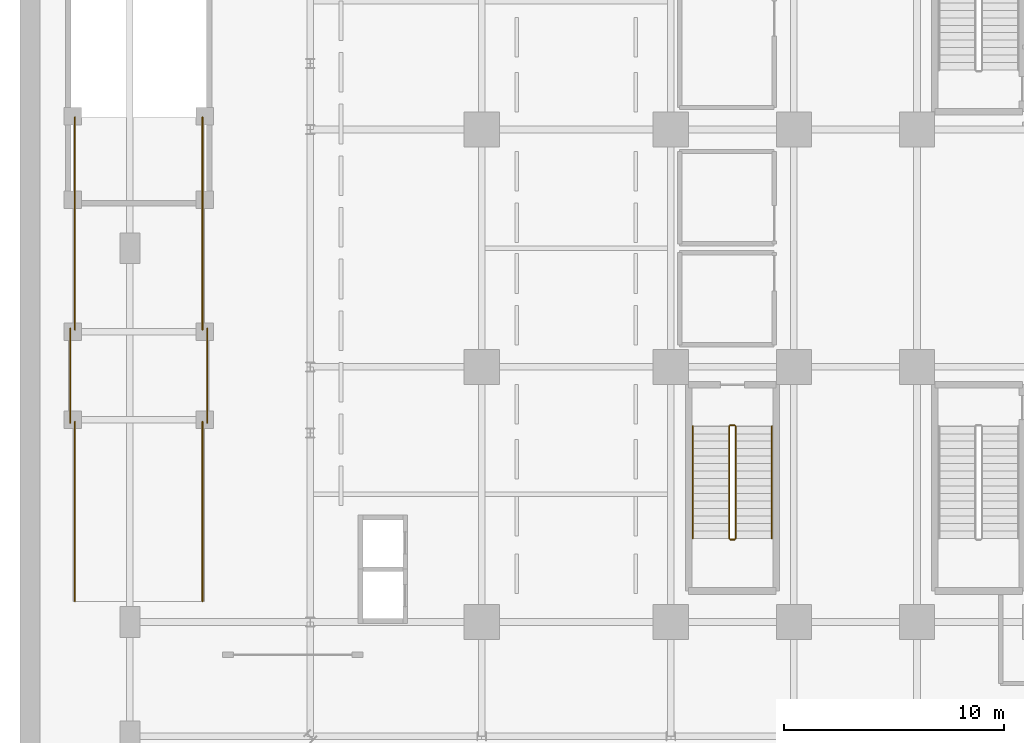
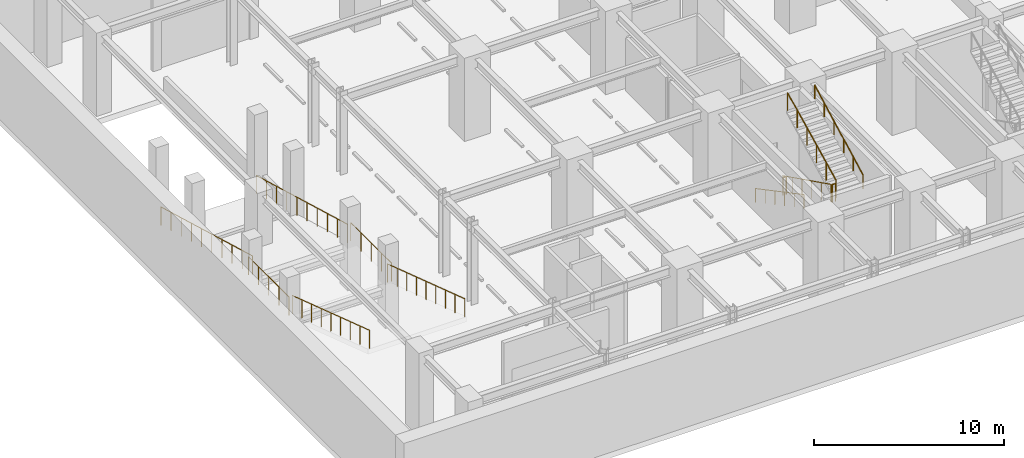
# One storey, part 9 of 10: 12 railings.
"""IFC4 building model written with IfcOpenShell, lengths in metres."""

from ifc_helpers import new_model, si_unit, direction, frame, origin, origin_2d, place, context, subcontext, project, spatial, circle, extrude, material, type_object, element, save


model = new_model("IFC4")

# Units and contexts
model_context = context("Model", 3, precision=1e-05, world=origin(), true_north=direction((0.0, 1.0)))
body_context = subcontext(model_context, "Body", "Model", "MODEL_VIEW")
ifc_project = project(units=[si_unit("LENGTHUNIT", "METRE"), si_unit("AREAUNIT", "SQUARE_METRE"), si_unit("VOLUMEUNIT", "CUBIC_METRE"), si_unit("PLANEANGLEUNIT", "RADIAN"), si_unit("MASSUNIT", "GRAM", prefix="KILO")], contexts=[model_context])

# Site, building, storey
site_placement = place(None, origin())
site = spatial("IfcSite", under=ifc_project, at=site_placement, CompositionType="ELEMENT")
building_placement = place(site_placement, origin())
building = spatial("IfcBuilding", under=site, at=building_placement, Name="Nahalor Promenade Grand Hotel", CompositionType="ELEMENT")
storey_placement = place(building_placement, frame((0.0, 0.0, -5.39990234375)))
storey = spatial("IfcBuildingStorey", under=building, at=storey_placement, Name="B01", CompositionType="ELEMENT", Elevation=-5.39990234375)

# Railings
ifc_material = material(Name="Steel S355JR", Category="steel")
railing_type_1 = type_object("IfcRailingType", Name="Steel Ramp Guardrail 1200 mm", PredefinedType="GUARDRAIL", material=ifc_material)
railing_1_placement = place(storey_placement, frame((-35.5, 5.949951171875, 0.0)))
element("IfcRailing", 1, at=railing_1_placement, inside=storey, type_object=railing_type_1, Name="RL-RAMP-B01-1W", PredefinedType="GUARDRAIL", context=body_context, shape_type="SweptSolid", body=[
    extrude(circle(Radius=0.024048, at=origin_2d()), frame((0.0, 0.0, 1.17578125), z_axis=(0.0, -0.963016380796, 0.269442851673), x_axis=(1.0, 0.0, 0.0)), (0.0, 0.0, 1.0), 10.0205078125),
    extrude(circle(Radius=0.020996, at=origin_2d()), origin(), (0.0, 0.0, 1.0), 1.14990234375),
    extrude(circle(Radius=0.020996, at=origin_2d()), frame((0.0, -1.072265625, 0.300048828125)), (0.0, 0.0, 1.0), 1.14990234375),
    extrude(circle(Radius=0.020996, at=origin_2d()), frame((0.0, -2.14453125, 0.60009765625)), (0.0, 0.0, 1.0), 1.14990234375),
    extrude(circle(Radius=0.020996, at=origin_2d()), frame((0.0, -3.216552734375, 0.89990234375)), (0.0, 0.0, 1.0), 1.14990234375),
    extrude(circle(Radius=0.020996, at=origin_2d()), frame((0.0, -4.288818359375, 1.199951171875)), (0.0, 0.0, 1.0), 1.14990234375),
    extrude(circle(Radius=0.020996, at=origin_2d()), frame((0.0, -5.361083984375, 1.5)), (0.0, 0.0, 1.0), 1.14990234375),
    extrude(circle(Radius=0.020996, at=origin_2d()), frame((0.0, -6.433349609375, 1.800048828125)), (0.0, 0.0, 1.0), 1.14990234375),
    extrude(circle(Radius=0.020996, at=origin_2d()), frame((0.0, -7.50537109375, 2.099853515625)), (0.0, 0.0, 1.0), 1.14990234375),
    extrude(circle(Radius=0.020996, at=origin_2d()), frame((0.0, -8.57763671875, 2.39990234375)), (0.0, 0.0, 1.0), 1.14990234375),
    extrude(circle(Radius=0.020996, at=origin_2d()), frame((0.0, -9.64990234375, 2.699951171875)), (0.0, 0.0, 1.0), 1.14990234375),
])
railing_2_placement = place(storey_placement, frame((-35.5, -7.89990234375, 2.699951171875)))
element("IfcRailing", 2, at=railing_2_placement, inside=storey, type_object=railing_type_1, Name="RL-RAMP-B01-2W", PredefinedType="GUARDRAIL", context=body_context, shape_type="SweptSolid", body=[
    extrude(circle(Radius=0.024048, at=origin_2d()), frame((0.0, 0.0, 1.17578125), z_axis=(0.0, -0.949267444909, 0.314469900047), x_axis=(1.0, 0.0, 0.0)), (0.0, 0.0, 1.0), 8.585693359375),
    extrude(circle(Radius=0.020996, at=origin_2d()), origin(), (0.0, 0.0, 1.0), 1.14990234375),
    extrude(circle(Radius=0.020996, at=origin_2d()), frame((0.0, -1.018798828125, 0.33740234375)), (0.0, 0.0, 1.0), 1.14990234375),
    extrude(circle(Radius=0.020996, at=origin_2d()), frame((0.0, -2.03759765625, 0.675048828125)), (0.0, 0.0, 1.0), 1.14990234375),
    extrude(circle(Radius=0.020996, at=origin_2d()), frame((0.0, -3.056396484375, 1.012451171875)), (0.0, 0.0, 1.0), 1.14990234375),
    extrude(circle(Radius=0.020996, at=origin_2d()), frame((0.0, -4.0751953125, 1.35009765625)), (0.0, 0.0, 1.0), 1.14990234375),
    extrude(circle(Radius=0.020996, at=origin_2d()), frame((0.0, -5.09375, 1.6875)), (0.0, 0.0, 1.0), 1.14990234375),
    extrude(circle(Radius=0.020996, at=origin_2d()), frame((0.0, -6.112548828125, 2.02490234375)), (0.0, 0.0, 1.0), 1.14990234375),
    extrude(circle(Radius=0.020996, at=origin_2d()), frame((0.0, -7.13134765625, 2.362548828125)), (0.0, 0.0, 1.0), 1.14990234375),
    extrude(circle(Radius=0.020996, at=origin_2d()), frame((0.0, -8.150146484375, 2.699951171875)), (0.0, 0.0, 1.0), 1.14990234375),
])
railing_3_placement = place(storey_placement, frame((-29.699951171875, 5.949951171875, 0.0)))
element("IfcRailing", 3, at=railing_3_placement, inside=storey, type_object=railing_type_1, Name="RL-RAMP-B01-1E", PredefinedType="GUARDRAIL", context=body_context, shape_type="SweptSolid", body=[
    extrude(circle(Radius=0.024048, at=origin_2d()), frame((0.0, 0.0, 1.17578125), z_axis=(0.0, -0.963016380796, 0.269442851673), x_axis=(1.0, 0.0, 0.0)), (0.0, 0.0, 1.0), 10.0205078125),
    extrude(circle(Radius=0.020996, at=origin_2d()), origin(), (0.0, 0.0, 1.0), 1.14990234375),
    extrude(circle(Radius=0.020996, at=origin_2d()), frame((0.0, -1.072265625, 0.300048828125)), (0.0, 0.0, 1.0), 1.14990234375),
    extrude(circle(Radius=0.020996, at=origin_2d()), frame((0.0, -2.14453125, 0.60009765625)), (0.0, 0.0, 1.0), 1.14990234375),
    extrude(circle(Radius=0.020996, at=origin_2d()), frame((0.0, -3.216552734375, 0.89990234375)), (0.0, 0.0, 1.0), 1.14990234375),
    extrude(circle(Radius=0.020996, at=origin_2d()), frame((0.0, -4.288818359375, 1.199951171875)), (0.0, 0.0, 1.0), 1.14990234375),
    extrude(circle(Radius=0.020996, at=origin_2d()), frame((0.0, -5.361083984375, 1.5)), (0.0, 0.0, 1.0), 1.14990234375),
    extrude(circle(Radius=0.020996, at=origin_2d()), frame((0.0, -6.433349609375, 1.800048828125)), (0.0, 0.0, 1.0), 1.14990234375),
    extrude(circle(Radius=0.020996, at=origin_2d()), frame((0.0, -7.50537109375, 2.099853515625)), (0.0, 0.0, 1.0), 1.14990234375),
    extrude(circle(Radius=0.020996, at=origin_2d()), frame((0.0, -8.57763671875, 2.39990234375)), (0.0, 0.0, 1.0), 1.14990234375),
    extrude(circle(Radius=0.020996, at=origin_2d()), frame((0.0, -9.64990234375, 2.699951171875)), (0.0, 0.0, 1.0), 1.14990234375),
])
railing_4_placement = place(storey_placement, frame((-29.699951171875, -7.89990234375, 2.699951171875)))
element("IfcRailing", 4, at=railing_4_placement, inside=storey, type_object=railing_type_1, Name="RL-RAMP-B01-2E", PredefinedType="GUARDRAIL", context=body_context, shape_type="SweptSolid", body=[
    extrude(circle(Radius=0.024048, at=origin_2d()), frame((0.0, 0.0, 1.17578125), z_axis=(0.0, -0.949267444909, 0.314469900047), x_axis=(1.0, 0.0, 0.0)), (0.0, 0.0, 1.0), 8.585693359375),
    extrude(circle(Radius=0.020996, at=origin_2d()), origin(), (0.0, 0.0, 1.0), 1.14990234375),
    extrude(circle(Radius=0.020996, at=origin_2d()), frame((0.0, -1.018798828125, 0.33740234375)), (0.0, 0.0, 1.0), 1.14990234375),
    extrude(circle(Radius=0.020996, at=origin_2d()), frame((0.0, -2.03759765625, 0.675048828125)), (0.0, 0.0, 1.0), 1.14990234375),
    extrude(circle(Radius=0.020996, at=origin_2d()), frame((0.0, -3.056396484375, 1.012451171875)), (0.0, 0.0, 1.0), 1.14990234375),
    extrude(circle(Radius=0.020996, at=origin_2d()), frame((0.0, -4.0751953125, 1.35009765625)), (0.0, 0.0, 1.0), 1.14990234375),
    extrude(circle(Radius=0.020996, at=origin_2d()), frame((0.0, -5.09375, 1.6875)), (0.0, 0.0, 1.0), 1.14990234375),
    extrude(circle(Radius=0.020996, at=origin_2d()), frame((0.0, -6.112548828125, 2.02490234375)), (0.0, 0.0, 1.0), 1.14990234375),
    extrude(circle(Radius=0.020996, at=origin_2d()), frame((0.0, -7.13134765625, 2.362548828125)), (0.0, 0.0, 1.0), 1.14990234375),
    extrude(circle(Radius=0.020996, at=origin_2d()), frame((0.0, -8.150146484375, 2.699951171875)), (0.0, 0.0, 1.0), 1.14990234375),
])
for number, where, name in (
    (5, (-35.719970703125, -7.949951171875, 2.699951171875), "RL-RAMP-B01-MW"),
    (6, (-29.47998046875, -7.949951171875, 2.699951171875), "RL-RAMP-B01-ME"),
):
    element("IfcRailing", number, at=place(storey_placement, frame(where)), inside=storey, type_object=railing_type_1, Name=name, PredefinedType="GUARDRAIL", context=body_context, shape_type="SweptSolid", body=[
        extrude(circle(Radius=0.024048, at=origin_2d()), frame((0.0, 0.0, 1.17578125), z_axis=(0.0, 1.0, 0.0), x_axis=(-1.0, 0.0, 0.0)), (0.0, 0.0, 1.0), 4.300048828125),
        extrude(circle(Radius=0.020996, at=origin_2d()), origin(), (0.0, 0.0, 1.0), 1.14990234375),
        extrude(circle(Radius=0.020996, at=origin_2d()), frame((0.0, 1.074951171875, 0.0)), (0.0, 0.0, 1.0), 1.14990234375),
        extrude(circle(Radius=0.020996, at=origin_2d()), frame((0.0, 2.14990234375, 0.0)), (0.0, 0.0, 1.0), 1.14990234375),
        extrude(circle(Radius=0.020996, at=origin_2d()), frame((0.0, 3.22509765625, 0.0)), (0.0, 0.0, 1.0), 1.14990234375),
        extrude(circle(Radius=0.020996, at=origin_2d()), frame((0.0, 4.300048828125, 0.0)), (0.0, 0.0, 1.0), 1.14990234375),
    ])
railing_type_2 = type_object("IfcRailingType", Name="Steel Stair Guardrail 1150 mm", PredefinedType="GUARDRAIL", material=ifc_material)
railing_5_placement = place(storey_placement, frame((-5.75, -8.10009765625, 0.168701171875)))
element("IfcRailing", 7, at=railing_5_placement, inside=storey, type_object=railing_type_2, Name="B01 ST3 stair guard 1", PredefinedType="GUARDRAIL", context=body_context, shape_type="SweptSolid", body=[
    extrude(circle(Radius=0.024048, at=origin_2d()), frame((0.0, 0.0, 1.1259765625), z_axis=(0.0, -0.895735491292, 0.444587370086), x_axis=(1.0, 0.0, 0.0)), (0.0, 0.0, 1.0), 5.693603515625),
    extrude(circle(Radius=0.020996, at=origin_2d()), origin(), (0.0, 0.0, 1.0), 1.099853515625),
    extrude(circle(Radius=0.020996, at=origin_2d()), frame((0.0, -1.02001953125, 0.50634765625)), (0.0, 0.0, 1.0), 1.099853515625),
    extrude(circle(Radius=0.020996, at=origin_2d()), frame((0.0, -2.0400390625, 1.012451171875)), (0.0, 0.0, 1.0), 1.099853515625),
    extrude(circle(Radius=0.020996, at=origin_2d()), frame((0.0, -3.059814453125, 1.518798828125)), (0.0, 0.0, 1.0), 1.099853515625),
    extrude(circle(Radius=0.020996, at=origin_2d()), frame((0.0, -4.079833984375, 2.02490234375)), (0.0, 0.0, 1.0), 1.099853515625),
    extrude(circle(Radius=0.020996, at=origin_2d()), frame((0.0, -5.099853515625, 2.53125)), (0.0, 0.0, 1.0), 1.099853515625),
])
railing_6_placement = place(storey_placement, frame((-5.699951171875, -13.25, 2.699951171875)))
element("IfcRailing", 8, at=railing_6_placement, inside=storey, type_object=railing_type_2, Name="B01 ST3 stair guard 2", PredefinedType="GUARDRAIL", context=body_context, shape_type="SweptSolid", body=[
    extrude(circle(Radius=0.024048, at=origin_2d()), frame((0.0, 0.0, 1.1259765625), z_axis=(1.0, 0.0, 0.0), x_axis=(0.0, 1.0, 0.0)), (0.0, 0.0, 1.0), 0.199951171875),
    extrude(circle(Radius=0.020996, at=origin_2d()), origin(), (0.0, 0.0, 1.0), 1.099853515625),
    extrude(circle(Radius=0.020996, at=origin_2d()), frame((0.199951171875, 0.0, 0.0)), (0.0, 0.0, 1.0), 1.099853515625),
])
railing_7_placement = place(storey_placement, frame((-5.449951171875, -13.199951171875, 2.86865234375)))
element("IfcRailing", 9, at=railing_7_placement, inside=storey, type_object=railing_type_2, Name="B01 ST3 stair guard 3", PredefinedType="GUARDRAIL", context=body_context, shape_type="SweptSolid", body=[
    extrude(circle(Radius=0.024048, at=origin_2d()), frame((0.0, 0.0, 1.1259765625), z_axis=(0.0, 0.895735491292, 0.444587370086), x_axis=(-1.0, 0.0, 0.0)), (0.0, 0.0, 1.0), 5.693603515625),
    extrude(circle(Radius=0.020996, at=origin_2d()), origin(), (0.0, 0.0, 1.0), 1.099853515625),
    extrude(circle(Radius=0.020996, at=origin_2d()), frame((0.0, 1.02001953125, 0.50634765625)), (0.0, 0.0, 1.0), 1.099853515625),
    extrude(circle(Radius=0.020996, at=origin_2d()), frame((0.0, 2.0400390625, 1.012451171875)), (0.0, 0.0, 1.0), 1.099853515625),
    extrude(circle(Radius=0.020996, at=origin_2d()), frame((0.0, 3.059814453125, 1.518798828125)), (0.0, 0.0, 1.0), 1.099853515625),
    extrude(circle(Radius=0.020996, at=origin_2d()), frame((0.0, 4.079833984375, 2.02490234375)), (0.0, 0.0, 1.0), 1.099853515625),
    extrude(circle(Radius=0.020996, at=origin_2d()), frame((0.0, 5.099853515625, 2.53125)), (0.0, 0.0, 1.0), 1.099853515625),
])
railing_8_placement = place(storey_placement, frame((-5.699951171875, -8.050048828125, 0.0)))
element("IfcRailing", 10, at=railing_8_placement, inside=storey, type_object=railing_type_2, Name="B01 ST3 stair guard 4", PredefinedType="GUARDRAIL", context=body_context, shape_type="SweptSolid", body=[
    extrude(circle(Radius=0.024048, at=origin_2d()), frame((0.0, 0.0, 1.1259765625), z_axis=(1.0, 0.0, 0.0), x_axis=(0.0, 1.0, 0.0)), (0.0, 0.0, 1.0), 0.199951171875),
    extrude(circle(Radius=0.020996, at=origin_2d()), origin(), (0.0, 0.0, 1.0), 1.099853515625),
    extrude(circle(Radius=0.020996, at=origin_2d()), frame((0.199951171875, 0.0, 0.0)), (0.0, 0.0, 1.0), 1.099853515625),
])
railing_type_3 = type_object("IfcRailingType", Name="Steel Stair Handrail 900 mm", PredefinedType="HANDRAIL", material=ifc_material)
railing_9_placement = place(storey_placement, frame((-7.39990234375, -8.10009765625, 0.168701171875)))
element("IfcRailing", 11, at=railing_9_placement, inside=storey, type_object=railing_type_3, Name="B01 ST3 stair handrail 1", PredefinedType="HANDRAIL", context=body_context, shape_type="SweptSolid", body=[
    extrude(circle(Radius=0.024048, at=origin_2d()), frame((0.0, 0.0, 0.8759765625), z_axis=(0.0, -0.883785858079, 0.467891608238), x_axis=(1.0, 0.0, 0.0)), (0.0, 0.0, 1.0), 5.7705078125),
    extrude(circle(Radius=0.020996, at=origin_2d()), origin(), (0.0, 0.0, 1.0), 0.849853515625),
    extrude(circle(Radius=0.020996, at=origin_2d()), frame((0.0, -1.02001953125, 0.5400390625)), (0.0, 0.0, 1.0), 0.849853515625),
    extrude(circle(Radius=0.020996, at=origin_2d()), frame((0.0, -2.0400390625, 1.080078125)), (0.0, 0.0, 1.0), 0.849853515625),
    extrude(circle(Radius=0.020996, at=origin_2d()), frame((0.0, -3.059814453125, 1.619873046875)), (0.0, 0.0, 1.0), 0.849853515625),
    extrude(circle(Radius=0.020996, at=origin_2d()), frame((0.0, -4.079833984375, 2.159912109375)), (0.0, 0.0, 1.0), 0.849853515625),
    extrude(circle(Radius=0.020996, at=origin_2d()), frame((0.0, -5.099853515625, 2.699951171875)), (0.0, 0.0, 1.0), 0.849853515625),
])
railing_10_placement = place(storey_placement, frame((-3.800048828125, -13.199951171875, 2.86865234375)))
element("IfcRailing", 12, at=railing_10_placement, inside=storey, type_object=railing_type_3, Name="B01 ST3 stair handrail 2", PredefinedType="HANDRAIL", context=body_context, shape_type="SweptSolid", body=[
    extrude(circle(Radius=0.024048, at=origin_2d()), frame((0.0, 0.0, 0.8759765625), z_axis=(0.0, 0.883785858079, 0.467891608238), x_axis=(-1.0, 0.0, 0.0)), (0.0, 0.0, 1.0), 5.7705078125),
    extrude(circle(Radius=0.020996, at=origin_2d()), origin(), (0.0, 0.0, 1.0), 0.849853515625),
    extrude(circle(Radius=0.020996, at=origin_2d()), frame((0.0, 1.02001953125, 0.5400390625)), (0.0, 0.0, 1.0), 0.849853515625),
    extrude(circle(Radius=0.020996, at=origin_2d()), frame((0.0, 2.0400390625, 1.080078125)), (0.0, 0.0, 1.0), 0.849853515625),
    extrude(circle(Radius=0.020996, at=origin_2d()), frame((0.0, 3.059814453125, 1.619873046875)), (0.0, 0.0, 1.0), 0.849853515625),
    extrude(circle(Radius=0.020996, at=origin_2d()), frame((0.0, 4.079833984375, 2.159912109375)), (0.0, 0.0, 1.0), 0.849853515625),
    extrude(circle(Radius=0.020996, at=origin_2d()), frame((0.0, 5.099853515625, 2.699951171875)), (0.0, 0.0, 1.0), 0.849853515625),
])

save(model, "model.ifc")
